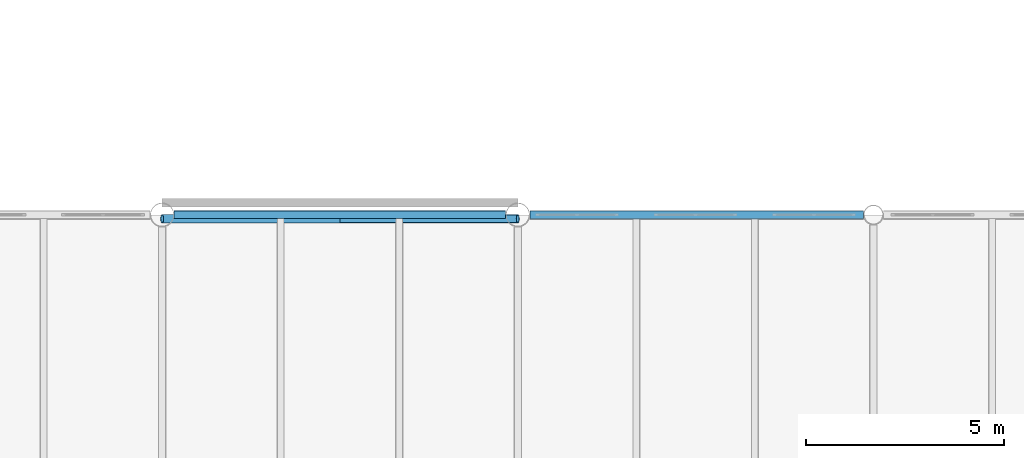
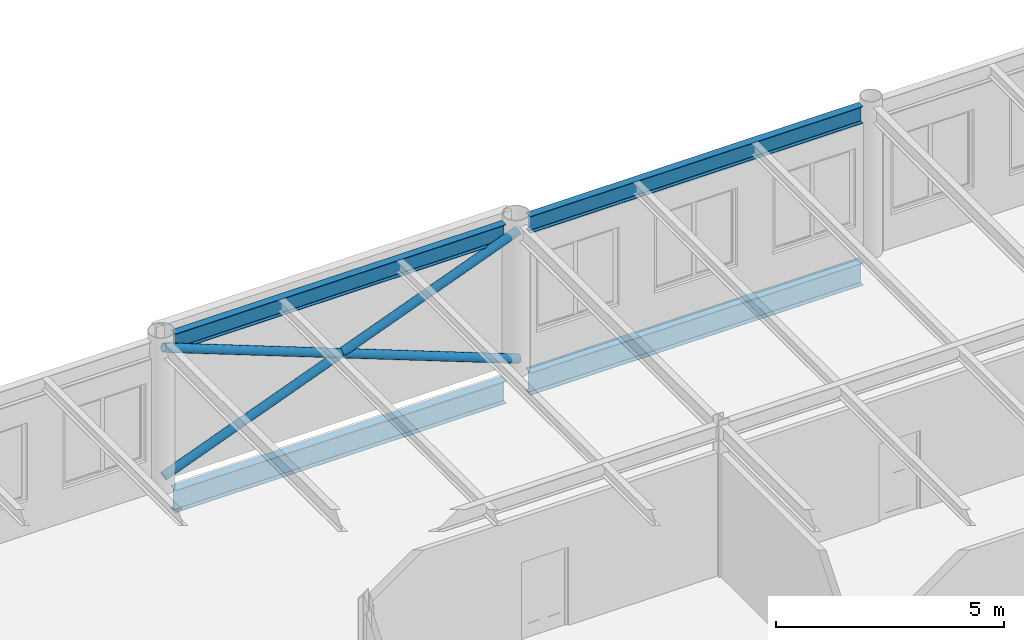
# One storey, part 26 of 123: 4 beams, 2 members.
"""IFC4 building model written with IfcOpenShell, lengths in metres."""

from ifc_helpers import new_model, si_unit, direction, frame, origin, origin_2d, place, context, subcontext, project, spatial, hollow_circle, i_section, extrude, material, material_profile, profile_set, type_object, element, save


model = new_model("IFC4")

# Units and contexts
model_context = context("Model", 3, precision=1e-05, world=origin(), true_north=direction((0.0, 1.0)))
body_context = subcontext(model_context, "Body", "Model", "MODEL_VIEW")
ifc_project = project(units=[si_unit("LENGTHUNIT", "METRE"), si_unit("AREAUNIT", "SQUARE_METRE"), si_unit("VOLUMEUNIT", "CUBIC_METRE"), si_unit("PLANEANGLEUNIT", "RADIAN"), si_unit("MASSUNIT", "GRAM", prefix="KILO")], contexts=[model_context])

# Site, building, storey
site_placement = place(None, origin())
site = spatial("IfcSite", under=ifc_project, at=site_placement, CompositionType="ELEMENT")
building_placement = place(site_placement, origin())
building = spatial("IfcBuilding", under=site, at=building_placement, Name="Baradari Gate Terminus", CompositionType="ELEMENT")
storey_placement = place(building_placement, frame((0.0, 0.0, 7.5)))
storey = spatial("IfcBuildingStorey", under=building, at=storey_placement, Name="L01", CompositionType="ELEMENT", Elevation=7.5)

# Members
ifc_material_1 = material(Name="Steel S355", Category="steel")
ifc_material_profile_1 = material_profile(ifc_material_1, hollow_circle(Radius=0.109619140625, WallThickness=0.012451171875, at=origin_2d()), Name="CHS 219.1x12.5")
ifc_profile_set_1 = profile_set([ifc_material_profile_1], Name="Steel S355")
member_type = type_object("IfcMemberType", Name="Column bracing X04 CHS 219.1x12.5", PredefinedType="BRACE", material=ifc_profile_set_1)
for number, where, z_axis, x_axis, name in (
    (1, (117.0, 35.89990234375, 0.35009765625), (0.933747810426, 0.0, 0.357931594757), (0.0, 1.0, 0.0), "Column bracing 14-15 line E L01"),
    (2, (126.0, 35.89990234375, 0.35009765625), (-0.933747810426, 0.0, 0.357931594757), (0.0, -1.0, 0.0), "Column bracing 14-15 line E L01"),
):
    element("IfcMember", number, at=place(storey_placement, frame(where, z_axis=z_axis, x_axis=x_axis)), inside=storey, type_object=member_type, Name=name, PredefinedType="BRACE", context=body_context, shape_type="SweptSolid", body=[
        extrude(hollow_circle(Radius=0.109619140625, WallThickness=0.012451171875, at=origin_2d()), origin(), (0.0, 0.0, 1.0), 9.638671875),
    ])

# Beams
ifc_material_2 = material(Name="Steel S355", Category="steel")
ifc_material_profile_2 = material_profile(ifc_material_2, i_section(OverallWidth=0.2275390625, OverallDepth=0.6025390625, WebThickness=0.010498046875, FlangeThickness=0.014892578125, FilletRadius=0.0126953125, at=origin_2d()), Name="UB 610x229x101")
ifc_profile_set_2 = profile_set([ifc_material_profile_2], Name="Steel S355")
beam_type_1 = type_object("IfcBeamType", Name="South wing edge girder B14 UB 610x229x101", PredefinedType="BEAM", material=ifc_profile_set_2)
beam_1_placement = place(storey_placement, frame((117.304931640625, 36.0, -0.431396484375), z_axis=(1.0, 0.0, 0.0), x_axis=(0.0, 1.0, 0.0)))
element("IfcBeam", 3, at=beam_1_placement, inside=storey, type_object=beam_type_1, Name="South wing edge girder B14 E:117.305-125.695 L01", PredefinedType="BEAM", context=body_context, shape_type="SweptSolid", body=[
    extrude(i_section(OverallWidth=0.2275390625, OverallDepth=0.6025390625, WebThickness=0.010498046875, FlangeThickness=0.014892578125, FilletRadius=0.0126953125, at=origin_2d()), origin(), (0.0, 0.0, 1.0), 8.39013671875),
])
beam_2_placement = place(storey_placement, frame((126.304931640625, 36.0, -0.431396484375), z_axis=(1.0, 0.0, 0.0), x_axis=(0.0, 1.0, 0.0)))
element("IfcBeam", 4, at=beam_2_placement, inside=storey, type_object=beam_type_1, Name="South wing edge girder B14 E:126.305-134.746 L01", PredefinedType="BEAM", context=body_context, shape_type="SweptSolid", body=[
    extrude(i_section(OverallWidth=0.2275390625, OverallDepth=0.6025390625, WebThickness=0.010498046875, FlangeThickness=0.014892578125, FilletRadius=0.0126953125, at=origin_2d()), origin(), (0.0, 0.0, 1.0), 8.441162109375),
])
ifc_material_3 = material(Name="Steel S355", Category="steel")
ifc_material_profile_3 = material_profile(ifc_material_3, i_section(OverallWidth=0.18994140625, OverallDepth=0.453369140625, WebThickness=0.008544921875, FlangeThickness=0.0126953125, FilletRadius=0.01025390625, at=origin_2d()), Name="UB 457x191x67")
ifc_profile_set_3 = profile_set([ifc_material_profile_3], Name="Steel S355")
beam_type_2 = type_object("IfcBeamType", Name="South wing roof edge girder B53 UB 457x191x67", PredefinedType="BEAM", material=ifc_profile_set_3)
beam_3_placement = place(storey_placement, frame((117.304931640625, 36.0, 3.8232421875), z_axis=(1.0, 0.0, 0.0), x_axis=(0.0, 1.0, 0.0)))
element("IfcBeam", 5, at=beam_3_placement, inside=storey, type_object=beam_type_2, Name="South wing roof edge girder B53 E:117.305-125.695 L01", PredefinedType="BEAM", context=body_context, shape_type="SweptSolid", body=[
    extrude(i_section(OverallWidth=0.18994140625, OverallDepth=0.453369140625, WebThickness=0.008544921875, FlangeThickness=0.0126953125, FilletRadius=0.01025390625, at=origin_2d()), origin(), (0.0, 0.0, 1.0), 8.39013671875),
])
beam_4_placement = place(storey_placement, frame((126.304931640625, 36.0, 3.8232421875), z_axis=(1.0, 0.0, 0.0), x_axis=(0.0, 1.0, 0.0)))
element("IfcBeam", 6, at=beam_4_placement, inside=storey, type_object=beam_type_2, Name="South wing roof edge girder B53 E:126.305-134.746 L01", PredefinedType="BEAM", context=body_context, shape_type="SweptSolid", body=[
    extrude(i_section(OverallWidth=0.18994140625, OverallDepth=0.453369140625, WebThickness=0.008544921875, FlangeThickness=0.0126953125, FilletRadius=0.01025390625, at=origin_2d()), origin(), (0.0, 0.0, 1.0), 8.441162109375),
])

save(model, "model.ifc")
